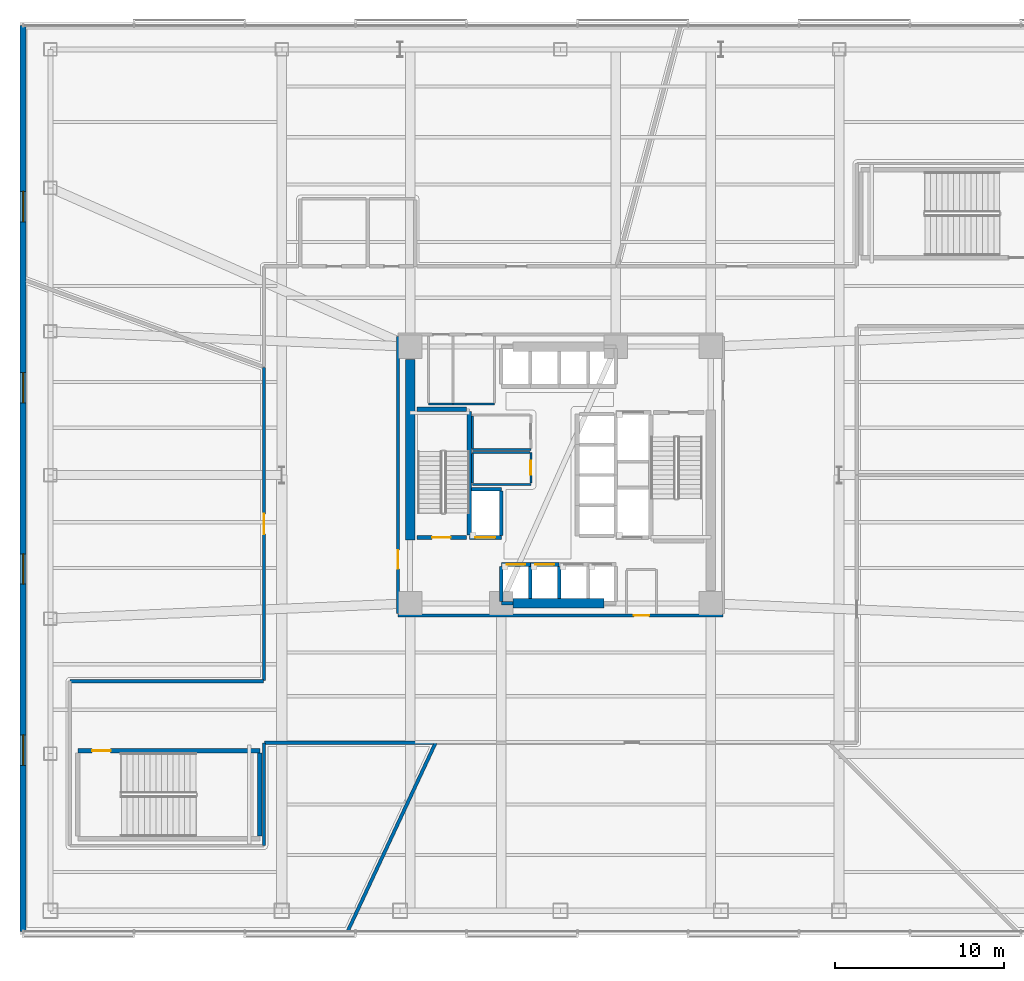
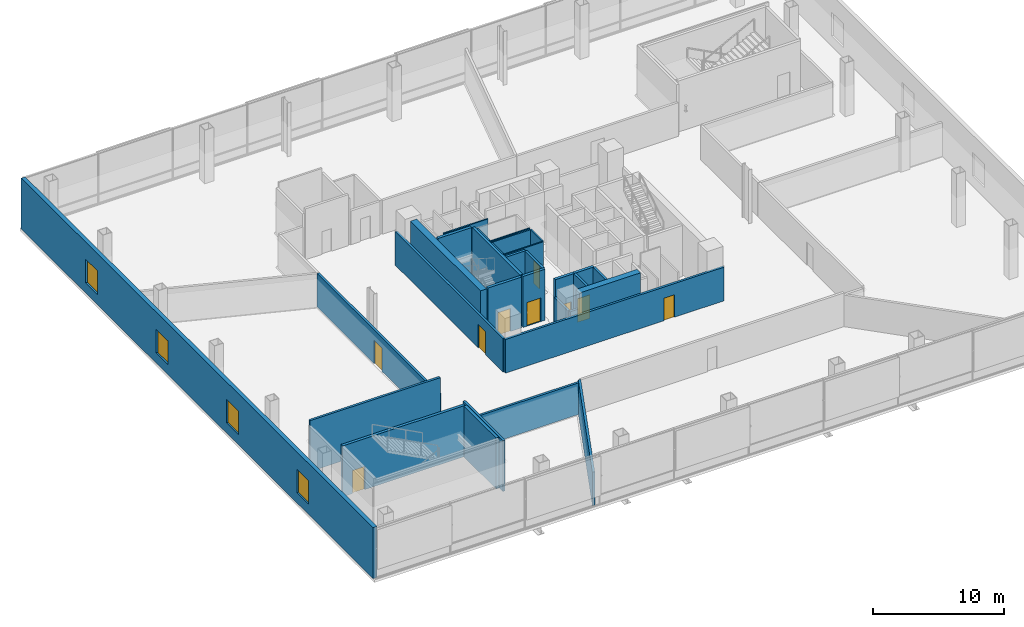
# One storey, part 11 of 24: 32 walls, 9 doors, 4 windows, 13 openings.
"""IFC4 building model written with IfcOpenShell, lengths in metres."""

from ifc_helpers import new_model, si_unit, direction, frame, frame_2d, origin, place, context, subcontext, project, spatial, rectangle, extrude, material, layer, layer_set, type_object, element, fill, save


model = new_model("IFC4")

# Units and contexts
model_context = context("Model", 3, precision=1e-05, world=origin(), true_north=direction((0.0, 1.0)))
body_context = subcontext(model_context, "Body", "Model", "MODEL_VIEW")
ifc_project = project(units=[si_unit("LENGTHUNIT", "METRE"), si_unit("AREAUNIT", "SQUARE_METRE"), si_unit("VOLUMEUNIT", "CUBIC_METRE"), si_unit("PLANEANGLEUNIT", "RADIAN"), si_unit("MASSUNIT", "GRAM", prefix="KILO")], contexts=[model_context])

# Site, building, storey
site_placement = place(None, origin())
site = spatial("IfcSite", under=ifc_project, at=site_placement, CompositionType="ELEMENT")
building_placement = place(site_placement, origin())
building = spatial("IfcBuilding", under=site, at=building_placement, Name="Tharavind Bronze Gate", CompositionType="ELEMENT")
storey_placement = place(building_placement, frame((0.0, 0.0, 21.5)))
storey = spatial("IfcBuildingStorey", under=building, at=storey_placement, Name="L04", CompositionType="ELEMENT", Elevation=21.5)

# Wall, openings, windows
ifc_material_1 = material(Name="Concrete C40/50", Category="concrete")
ifc_layer_1 = layer(ifc_material_1, 0.35009765625)
ifc_layer_set_1 = layer_set([ifc_layer_1], Name="Concrete C40/50")
wall_type_1 = type_object("IfcWallType", Name="EXTERIOR SPANDREL WALL 350", PredefinedType="STANDARD", material=ifc_layer_set_1)
wall_1_placement = place(storey_placement, frame((-31.820068359375, 26.6201171875, 0.0), z_axis=(0.0, 0.0, 1.0), x_axis=(0.0, -1.0, 0.0)))
wall_1 = element("IfcWall", 1, at=wall_1_placement, inside=storey, type_object=wall_type_1, Name="L04 upper podium west wall", PredefinedType="STANDARD", context=body_context, shape_type="SweptSolid", body=[
    extrude(rectangle(XDim=53.64013671875, YDim=0.35009765625, at=frame_2d((26.820068359375, 0.0))), origin(), (0.0, 0.0, 1.0), 4.739990234375),
])
opening_1_placement = place(wall_1_placement, frame((9.827880859375, 0.0, 0.949951171875)))
opening_1 = element("IfcOpeningElement", 2, at=opening_1_placement, cuts=wall_1, Name="Opening W02", PredefinedType="OPENING", context=body_context, shape_type="SweptSolid", body=[
    extrude(rectangle(XDim=1.800048828125, YDim=2.199951171875, at=frame_2d((0.89990234375, 1.10009765625))), frame((0.0, 0.185048828125, 0.0), z_axis=(0.0, -1.0, 0.0), x_axis=(1.0, 0.0, 0.0)), (0.0, 0.0, 1.0), 0.37009765625),
])
opening_2_placement = place(wall_1_placement, frame((20.555908203125, 0.0, 0.949951171875)))
opening_2 = element("IfcOpeningElement", 3, at=opening_2_placement, cuts=wall_1, Name="Opening W02", PredefinedType="OPENING", context=body_context, shape_type="SweptSolid", body=[
    extrude(rectangle(XDim=1.800048828125, YDim=2.199951171875, at=frame_2d((0.89990234375, 1.10009765625))), frame((0.0, 0.185048828125, 0.0), z_axis=(0.0, -1.0, 0.0), x_axis=(1.0, 0.0, 0.0)), (0.0, 0.0, 1.0), 0.37009765625),
])
opening_3_placement = place(wall_1_placement, frame((31.283935546875, 0.0, 0.949951171875)))
opening_3 = element("IfcOpeningElement", 4, at=opening_3_placement, cuts=wall_1, Name="Opening W02", PredefinedType="OPENING", context=body_context, shape_type="SweptSolid", body=[
    extrude(rectangle(XDim=1.800048828125, YDim=2.199951171875, at=frame_2d((0.89990234375, 1.10009765625))), frame((0.0, 0.185048828125, 0.0), z_axis=(0.0, -1.0, 0.0), x_axis=(1.0, 0.0, 0.0)), (0.0, 0.0, 1.0), 0.37009765625),
])
opening_4_placement = place(wall_1_placement, frame((42.011962890625, 0.0, 0.949951171875)))
opening_4 = element("IfcOpeningElement", 5, at=opening_4_placement, cuts=wall_1, Name="Opening W02", PredefinedType="OPENING", context=body_context, shape_type="SweptSolid", body=[
    extrude(rectangle(XDim=1.800048828125, YDim=2.199951171875, at=frame_2d((0.89990234375, 1.10009765625))), frame((0.0, 0.185048828125, 0.0), z_axis=(0.0, -1.0, 0.0), x_axis=(1.0, 0.0, 0.0)), (0.0, 0.0, 1.0), 0.37009765625),
])
ifc_material_2 = material(Name="Bronze Aluminium & Low-E Glass", Category="aluminium")
window_type = type_object("IfcWindowType", Name="DOUBLE PANEL BRONZE WINDOW 1800X2200", PartitioningType="DOUBLE_PANEL_VERTICAL", PredefinedType="WINDOW", material=ifc_material_2)
window_1_placement = place(opening_1_placement, origin())
window_1 = element("IfcWindow", 6, at=window_1_placement, inside=storey, type_object=window_type, Name="L04 exterior window WL-L04-WE-01", OverallHeight=2.199951171875, OverallWidth=1.800048828125, PartitioningType="SINGLE_PANEL", PredefinedType="WINDOW", context=body_context, shape_type="SweptSolid", body=[
    extrude(rectangle(XDim=1.800048828125, YDim=2.199951171875, at=frame_2d((0.89990234375, 1.10009765625))), frame((0.0, 0.030029296875, 0.0), z_axis=(0.0, -1.0, 0.0), x_axis=(1.0, 0.0, 0.0)), (0.0, 0.0, 1.0), 0.06005859375),
])
fill(opening_1, window_1)
window_2_placement = place(opening_2_placement, origin())
window_2 = element("IfcWindow", 7, at=window_2_placement, inside=storey, type_object=window_type, Name="L04 exterior window WL-L04-WE-02", OverallHeight=2.199951171875, OverallWidth=1.800048828125, PartitioningType="SINGLE_PANEL", PredefinedType="WINDOW", context=body_context, shape_type="SweptSolid", body=[
    extrude(rectangle(XDim=1.800048828125, YDim=2.199951171875, at=frame_2d((0.89990234375, 1.10009765625))), frame((0.0, 0.030029296875, 0.0), z_axis=(0.0, -1.0, 0.0), x_axis=(1.0, 0.0, 0.0)), (0.0, 0.0, 1.0), 0.06005859375),
])
fill(opening_2, window_2)
window_3_placement = place(opening_3_placement, origin())
window_3 = element("IfcWindow", 8, at=window_3_placement, inside=storey, type_object=window_type, Name="L04 exterior window WL-L04-WE-03", OverallHeight=2.199951171875, OverallWidth=1.800048828125, PartitioningType="SINGLE_PANEL", PredefinedType="WINDOW", context=body_context, shape_type="SweptSolid", body=[
    extrude(rectangle(XDim=1.800048828125, YDim=2.199951171875, at=frame_2d((0.89990234375, 1.10009765625))), frame((0.0, 0.030029296875, 0.0), z_axis=(0.0, -1.0, 0.0), x_axis=(1.0, 0.0, 0.0)), (0.0, 0.0, 1.0), 0.06005859375),
])
fill(opening_3, window_3)
window_4_placement = place(opening_4_placement, origin())
window_4 = element("IfcWindow", 9, at=window_4_placement, inside=storey, type_object=window_type, Name="L04 exterior window WL-L04-WE-04", OverallHeight=2.199951171875, OverallWidth=1.800048828125, PartitioningType="SINGLE_PANEL", PredefinedType="WINDOW", context=body_context, shape_type="SweptSolid", body=[
    extrude(rectangle(XDim=1.800048828125, YDim=2.199951171875, at=frame_2d((0.89990234375, 1.10009765625))), frame((0.0, 0.030029296875, 0.0), z_axis=(0.0, -1.0, 0.0), x_axis=(1.0, 0.0, 0.0)), (0.0, 0.0, 1.0), 0.06005859375),
])
fill(opening_4, window_4)

# Wall, opening, door
ifc_material_3 = material(Name="Aerated Concrete Block", Category="concrete")
ifc_layer_2 = layer(ifc_material_3, 0.199951171875)
ifc_layer_set_2 = layer_set([ifc_layer_2], Name="Aerated Concrete Block")
wall_type_2 = type_object("IfcWallType", Name="FIRE RATED PARTITION 200", PredefinedType="PARTITIONING", material=ifc_layer_set_2)
wall_2_placement = place(storey_placement, frame((-9.6201171875, -8.320068359375, 0.0), z_axis=(0.0, 0.0, 1.0), x_axis=(1.0, 0.0, 0.0)))
wall_2 = element("IfcWall", 10, at=wall_2_placement, inside=storey, type_object=wall_type_2, Name="L04 south core corridor wall", PredefinedType="PARTITIONING", context=body_context, shape_type="SweptSolid", body=[
    extrude(rectangle(XDim=19.240234375, YDim=0.199951171875, at=frame_2d((9.6201171875, 0.0))), origin(), (0.0, 0.0, 1.0), 3.135009765625),
])
opening_5_placement = place(wall_2_placement, frame((13.969970703125, 0.0, 0.0)))
opening_5 = element("IfcOpeningElement", 11, at=opening_5_placement, cuts=wall_2, Name="Opening ID07", PredefinedType="OPENING", context=body_context, shape_type="SweptSolid", body=[
    extrude(rectangle(XDim=0.89990234375, YDim=2.10009765625, at=frame_2d((0.449951171875, 1.050048828125))), frame((0.0, 0.11009765625, 0.0), z_axis=(0.0, -1.0, 0.0), x_axis=(1.0, 0.0, 0.0)), (0.0, 0.0, 1.0), 0.219951171875),
])
ifc_material_4 = material(Name="Galvanised Fire Steel", Category="steel")
door_type_1 = type_object("IfcDoorType", Name="PLANT AND RISER FIRE DOOR 900X2100", OperationType="SINGLE_SWING_LEFT", PredefinedType="DOOR", material=ifc_material_4)
door_1_placement = place(opening_5_placement, frame((0.89990234375, 0.0, 0.0), z_axis=(0.0, 0.0, 1.0), x_axis=(-1.0, 0.0, 0.0)))
door_1 = element("IfcDoor", 12, at=door_1_placement, inside=storey, type_object=door_type_1, Name="L04 Janitor Store Cupboard fire door", OperationType="SINGLE_SWING_LEFT", OverallHeight=2.10009765625, OverallWidth=0.89990234375, PredefinedType="DOOR", context=body_context, shape_type="SweptSolid", body=[
    extrude(rectangle(XDim=0.89990234375, YDim=2.10009765625, at=frame_2d((0.449951171875, 1.050048828125))), frame((0.0, 0.02490234375, 0.0), z_axis=(0.0, -1.0, 0.0), x_axis=(1.0, 0.0, 0.0)), (0.0, 0.0, 1.0), 0.050048828125),
])
fill(opening_5, door_1)

wall_3_placement = place(storey_placement, frame((-9.6201171875, 8.199951171875, 0.0), z_axis=(0.0, 0.0, 1.0), x_axis=(0.0, -1.0, 0.0)))
wall_3 = element("IfcWall", 13, at=wall_3_placement, inside=storey, type_object=wall_type_2, Name="L04 west core corridor wall", PredefinedType="PARTITIONING", context=body_context, shape_type="SweptSolid", body=[
    extrude(rectangle(XDim=16.39990234375, YDim=0.199951171875, at=frame_2d((8.199951171875, 0.0))), origin(), (0.0, 0.0, 1.0), 3.135009765625),
])
opening_6_placement = place(wall_3_placement, frame((12.64990234375, 0.0, 0.0)))
opening_6 = element("IfcOpeningElement", 14, at=opening_6_placement, cuts=wall_3, Name="Opening ID01", PredefinedType="OPENING", context=body_context, shape_type="SweptSolid", body=[
    extrude(rectangle(XDim=1.10009765625, YDim=2.14990234375, at=frame_2d((0.550048828125, 1.074951171875))), frame((0.0, 0.11009765625, 0.0), z_axis=(0.0, -1.0, 0.0), x_axis=(1.0, 0.0, 0.0)), (0.0, 0.0, 1.0), 0.219951171875),
])
ifc_material_5 = material(Name="Fire-Rated Steel", Category="steel")
door_type_2 = type_object("IfcDoorType", Name="STAIR CORE FIRE DOOR 1100X2150", OperationType="SINGLE_SWING_LEFT", PredefinedType="DOOR", material=ifc_material_5)
door_2_placement = place(opening_6_placement, frame((1.10009765625, 0.0, 0.0), z_axis=(0.0, 0.0, 1.0), x_axis=(-1.0, 0.0, 0.0)))
door_2 = element("IfcDoor", 15, at=door_2_placement, inside=storey, type_object=door_type_2, Name="L04 south west stair lobby fire door", OperationType="SINGLE_SWING_LEFT", OverallHeight=2.14990234375, OverallWidth=1.10009765625, PredefinedType="DOOR", context=body_context, shape_type="SweptSolid", body=[
    extrude(rectangle(XDim=1.10009765625, YDim=2.14990234375, at=frame_2d((0.550048828125, 1.074951171875))), frame((0.0, 0.02490234375, 0.0), z_axis=(0.0, -1.0, 0.0), x_axis=(1.0, 0.0, 0.0)), (0.0, 0.0, 1.0), 0.050048828125),
])
fill(opening_6, door_2)

# Wall
wall_4_placement = place(storey_placement, frame((-12.599609375, -27.02001953125, 0.0), z_axis=(0.0, 0.0, 1.0), x_axis=(0.422618329775, 0.906307755312, 0.0)))
element("IfcWall", 16, at=wall_4_placement, inside=storey, type_object=wall_type_2, Name="L04 Public Restrooms & Locker Block partition", PredefinedType="PARTITIONING", context=body_context, shape_type="SweptSolid", body=[
    extrude(rectangle(XDim=12.308837890625, YDim=0.199951171875, at=frame_2d((6.154296875, 0.0))), origin(), (0.0, 0.0, 1.0), 3.135009765625),
])

# Wall, opening, door
wall_5_placement = place(storey_placement, frame((-17.550048828125, 6.3701171875, 0.0), z_axis=(0.0, 0.0, 1.0), x_axis=(0.0, -1.0, 0.0)))
wall_5 = element("IfcWall", 17, at=wall_5_placement, inside=storey, type_object=wall_type_2, Name="L04 Fitness & Movement Gymnasium partition", PredefinedType="PARTITIONING", context=body_context, shape_type="SweptSolid", body=[
    extrude(rectangle(XDim=18.545166015625, YDim=0.199951171875, at=frame_2d((9.2724609375, 0.0))), origin(), (0.0, 0.0, 1.0), 3.135009765625),
])
opening_7_placement = place(wall_5_placement, frame((8.673095703125, 0.0, 0.0)))
opening_7 = element("IfcOpeningElement", 18, at=opening_7_placement, cuts=wall_5, Name="Opening ID05", PredefinedType="OPENING", context=body_context, shape_type="SweptSolid", body=[
    extrude(rectangle(XDim=1.199951171875, YDim=2.14990234375, at=frame_2d((0.60009765625, 1.074951171875))), frame((0.0, 0.11009765625, 0.0), z_axis=(0.0, -1.0, 0.0), x_axis=(1.0, 0.0, 0.0)), (0.0, 0.0, 1.0), 0.219951171875),
])
ifc_material_6 = material(Name="Acoustic Laminated Glass", Category="glass")
door_type_3 = type_object("IfcDoorType", Name="MEETING ROOM GLAZED DOOR 1200X2150", OperationType="SINGLE_SWING_LEFT", PredefinedType="DOOR", material=ifc_material_6)
door_3_placement = place(opening_7_placement, origin())
door_3 = element("IfcDoor", 19, at=door_3_placement, inside=storey, type_object=door_type_3, Name="L04 Fitness & Movement Gymnasium door", OperationType="SINGLE_SWING_LEFT", OverallHeight=2.14990234375, OverallWidth=1.199951171875, PredefinedType="DOOR", context=body_context, shape_type="SweptSolid", body=[
    extrude(rectangle(XDim=1.199951171875, YDim=2.14990234375, at=frame_2d((0.60009765625, 1.074951171875))), frame((0.0, 0.02490234375, 0.0), z_axis=(0.0, -1.0, 0.0), x_axis=(1.0, 0.0, 0.0)), (0.0, 0.0, 1.0), 0.050048828125),
])
fill(opening_7, door_3)

# Walls
wall_6_placement = place(storey_placement, frame((-17.574951171875, -12.199951171875, 0.0), z_axis=(0.0, 0.0, 1.0), x_axis=(-1.0, 0.0, 0.0)))
element("IfcWall", 20, at=wall_6_placement, inside=storey, type_object=wall_type_2, Name="L04 Fitness & Movement Gymnasium partition", PredefinedType="PARTITIONING", context=body_context, shape_type="SweptSolid", body=[
    extrude(rectangle(XDim=11.474365234375, YDim=0.199951171875, at=frame_2d((5.7373046875, 0.0))), origin(), (0.0, 0.0, 1.0), 4.739990234375),
])
wall_7_placement = place(storey_placement, frame((-17.550048828125, -21.949462890625, 0.0), z_axis=(0.0, 0.0, 1.0), x_axis=(0.0, 1.0, 0.0)))
element("IfcWall", 21, at=wall_7_placement, inside=storey, type_object=wall_type_2, Name="L04 Fitness & Movement Gymnasium partition", PredefinedType="PARTITIONING", context=body_context, shape_type="SweptSolid", body=[
    extrude(rectangle(XDim=6.074462890625, YDim=0.199951171875, at=frame_2d((3.037109375, 0.0))), origin(), (0.0, 0.0, 1.0), 4.739990234375),
])
wall_8_placement = place(storey_placement, frame((-17.52490234375, -15.85009765625, 0.0), z_axis=(0.0, 0.0, 1.0), x_axis=(1.0, 0.0, 0.0)))
element("IfcWall", 22, at=wall_8_placement, inside=storey, type_object=wall_type_2, Name="L04 Fitness & Movement Gymnasium partition", PredefinedType="PARTITIONING", context=body_context, shape_type="SweptSolid", body=[
    extrude(rectangle(XDim=10.01806640625, YDim=0.199951171875, at=frame_2d((5.009033203125, 0.0))), origin(), (0.0, 0.0, 1.0), 2.93505859375),
])
ifc_material_7 = material(Name="Metal Stud Gypsum Partition", Category="gypsum")
ifc_layer_3 = layer(ifc_material_7, 0.1201171875)
ifc_layer_set_3 = layer_set([ifc_layer_3], Name="Metal Stud Gypsum Partition")
wall_type_3 = type_object("IfcWallType", Name="INTERIOR PARTITION WALL 120", PredefinedType="PARTITIONING", material=ifc_layer_set_3)
wall_9_placement = place(storey_placement, frame((-5.219970703125, 1.52001953125, 0.0), z_axis=(0.0, 0.0, 1.0), x_axis=(1.0, 0.0, 0.0)))
element("IfcWall", 23, at=wall_9_placement, inside=storey, type_object=wall_type_3, Name="L04 Cleaner Store Room partition 1", PredefinedType="PARTITIONING", context=body_context, shape_type="SweptSolid", body=[
    extrude(rectangle(XDim=3.469970703125, YDim=0.1201171875, at=frame_2d((1.73486328125, 0.0))), origin(), (0.0, 0.0, 1.0), 4.739990234375),
])
wall_10_placement = place(storey_placement, frame((-5.219970703125, 3.485107421875, 0.0), z_axis=(0.0, 0.0, 1.0), x_axis=(0.0, -1.0, 0.0)))
element("IfcWall", 24, at=wall_10_placement, inside=storey, type_object=wall_type_3, Name="L04 Cleaner Store Room partition 4", PredefinedType="PARTITIONING", context=body_context, shape_type="SweptSolid", body=[
    extrude(rectangle(XDim=1.900146484375, YDim=0.1201171875, at=frame_2d((0.9501953125, 0.0))), origin(), (0.0, 0.0, 1.0), 4.739990234375),
])
wall_11_placement = place(storey_placement, frame((-5.219970703125, -0.550048828125, 0.0), z_axis=(0.0, 0.0, 1.0), x_axis=(1.0, 0.0, 0.0)))
element("IfcWall", 25, at=wall_11_placement, inside=storey, type_object=wall_type_3, Name="L04 Electrical Switch Room partition 1", PredefinedType="PARTITIONING", context=body_context, shape_type="SweptSolid", body=[
    extrude(rectangle(XDim=3.469970703125, YDim=0.1201171875, at=frame_2d((1.73486328125, 0.0))), origin(), (0.0, 0.0, 1.0), 4.739990234375),
])

# Wall, opening, door
wall_12_placement = place(storey_placement, frame((-1.75, -0.485107421875, 0.0), z_axis=(0.0, 0.0, 1.0), x_axis=(0.0, 1.0, 0.0)))
wall_12 = element("IfcWall", 26, at=wall_12_placement, inside=storey, type_object=wall_type_3, Name="L04 Electrical Switch Room partition 2", PredefinedType="PARTITIONING", context=body_context, shape_type="SweptSolid", body=[
    extrude(rectangle(XDim=1.8251953125, YDim=0.1201171875, at=frame_2d((0.91259765625, 0.0))), origin(), (0.0, 0.0, 1.0), 4.739990234375),
])
opening_8_placement = place(wall_12_placement, frame((0.488037109375, 0.0, 0.0)))
opening_8 = element("IfcOpeningElement", 27, at=opening_8_placement, cuts=wall_12, Name="Opening ID06", PredefinedType="OPENING", context=body_context, shape_type="SweptSolid", body=[
    extrude(rectangle(XDim=0.85009765625, YDim=2.10009765625, at=frame_2d((0.425048828125, 1.050048828125))), frame((0.0, 0.07005859375, 0.0), z_axis=(0.0, -1.0, 0.0), x_axis=(1.0, 0.0, 0.0)), (0.0, 0.0, 1.0), 0.1401171875),
])
ifc_material_8 = material(Name="Moisture-Resistant Timber", Category="wood")
door_type_4 = type_object("IfcDoorType", Name="BATHROOM PRIVACY DOOR 850X2100", OperationType="SINGLE_SWING_RIGHT", PredefinedType="DOOR", material=ifc_material_8)
door_4_placement = place(opening_8_placement, frame((0.85009765625, 0.0, 0.0), z_axis=(0.0, 0.0, 1.0), x_axis=(-1.0, 0.0, 0.0)))
door_4 = element("IfcDoor", 28, at=door_4_placement, inside=storey, type_object=door_type_4, Name="L04 Electrical Switch Room door", OperationType="SINGLE_SWING_RIGHT", OverallHeight=2.10009765625, OverallWidth=0.85009765625, PredefinedType="DOOR", context=body_context, shape_type="SweptSolid", body=[
    extrude(rectangle(XDim=0.85009765625, YDim=2.10009765625, at=frame_2d((0.425048828125, 1.050048828125))), frame((0.0, 0.02490234375, 0.0), z_axis=(0.0, -1.0, 0.0), x_axis=(1.0, 0.0, 0.0)), (0.0, 0.0, 1.0), 0.050048828125),
])
fill(opening_8, door_4)

# Walls
wall_13_placement = place(storey_placement, frame((-1.81494140625, 1.340087890625, 0.0), z_axis=(0.0, 0.0, 1.0), x_axis=(-1.0, 0.0, 0.0)))
element("IfcWall", 29, at=wall_13_placement, inside=storey, type_object=wall_type_3, Name="L04 Electrical Switch Room partition 3", PredefinedType="PARTITIONING", context=body_context, shape_type="SweptSolid", body=[
    extrude(rectangle(XDim=3.405029296875, YDim=0.1201171875, at=frame_2d((1.70263671875, 0.0))), origin(), (0.0, 0.0, 1.0), 4.739990234375),
])
wall_14_placement = place(storey_placement, frame((-5.219970703125, 1.27490234375, 0.0), z_axis=(0.0, 0.0, 1.0), x_axis=(0.0, -1.0, 0.0)))
element("IfcWall", 30, at=wall_14_placement, inside=storey, type_object=wall_type_3, Name="L04 Electrical Switch Room partition 4", PredefinedType="PARTITIONING", context=body_context, shape_type="SweptSolid", body=[
    extrude(rectangle(XDim=1.760009765625, YDim=0.1201171875, at=frame_2d((0.8798828125, 0.0))), origin(), (0.0, 0.0, 1.0), 4.739990234375),
])
wall_15_placement = place(storey_placement, frame((-7.800048828125, 4.199951171875, 0.0), z_axis=(0.0, 0.0, 1.0), x_axis=(1.0, 0.0, 0.0)))
element("IfcWall", 31, at=wall_15_placement, inside=storey, type_object=wall_type_3, Name="L04 Battery Backup Cupboard partition 1", PredefinedType="PARTITIONING", context=body_context, shape_type="SweptSolid", body=[
    extrude(rectangle(XDim=1.449951171875, YDim=0.1201171875, at=frame_2d((0.72509765625, 0.0))), origin(), (0.0, 0.0, 1.0), 4.739990234375),
])
wall_16_placement = place(storey_placement, frame((-6.35009765625, 4.199951171875, 0.0), z_axis=(0.0, 0.0, 1.0), x_axis=(1.0, 0.0, 0.0)))
element("IfcWall", 32, at=wall_16_placement, inside=storey, type_object=wall_type_3, Name="L04 Cleaner Store Room partition 1", PredefinedType="PARTITIONING", context=body_context, shape_type="SweptSolid", body=[
    extrude(rectangle(XDim=2.4501953125, YDim=0.1201171875, at=frame_2d((1.22509765625, 0.0))), origin(), (0.0, 0.0, 1.0), 4.739990234375),
])
ifc_material_9 = material(Name="Concrete C50/60", Category="concrete")
ifc_layer_4 = layer(ifc_material_9, 0.25)
ifc_layer_set_4 = layer_set([ifc_layer_4], Name="Concrete C50/60")
wall_type_4 = type_object("IfcWallType", Name="RC CORE SHEAR WALL 250", PredefinedType="SHEAR", material=ifc_layer_set_4)
wall_17_placement = place(storey_placement, frame((-5.39990234375, -3.550048828125, 0.0), z_axis=(0.0, 0.0, 1.0), x_axis=(0.0, 1.0, 0.0)))
element("IfcWall", 33, at=wall_17_placement, inside=storey, type_object=wall_type_4, Name="L04 ST1 shaft east wall", PredefinedType="SHEAR", context=body_context, shape_type="SweptSolid", body=[
    extrude(rectangle(XDim=7.300048828125, YDim=0.25, at=frame_2d((3.64990234375, 0.0))), origin(), (0.0, 0.0, 1.0), 4.739990234375),
])

# Wall, opening, door
wall_18_placement = place(storey_placement, frame((-8.5, -3.699951171875, 0.0), z_axis=(0.0, 0.0, 1.0), x_axis=(1.0, 0.0, 0.0)))
wall_18 = element("IfcWall", 34, at=wall_18_placement, inside=storey, type_object=wall_type_4, Name="L04 ST1 shaft south wall", PredefinedType="SHEAR", context=body_context, shape_type="SweptSolid", body=[
    extrude(rectangle(XDim=2.949951171875, YDim=0.25, at=frame_2d((1.47509765625, 0.0))), origin(), (0.0, 0.0, 1.0), 4.739990234375),
])
opening_9_placement = place(wall_18_placement, frame((0.89990234375, 0.0, 0.0)))
opening_9 = element("IfcOpeningElement", 35, at=opening_9_placement, cuts=wall_18, Name="Opening ID01", PredefinedType="OPENING", context=body_context, shape_type="SweptSolid", body=[
    extrude(rectangle(XDim=1.10009765625, YDim=2.14990234375, at=frame_2d((0.550048828125, 1.074951171875))), frame((0.0, 0.135, 0.0), z_axis=(0.0, -1.0, 0.0), x_axis=(1.0, 0.0, 0.0)), (0.0, 0.0, 1.0), 0.27),
])
door_5_placement = place(opening_9_placement, origin())
door_5 = element("IfcDoor", 36, at=door_5_placement, inside=storey, type_object=door_type_2, Name="L04 exit stair ST1 fire door", OperationType="SINGLE_SWING_LEFT", OverallHeight=2.14990234375, OverallWidth=1.10009765625, PredefinedType="DOOR", context=body_context, shape_type="SweptSolid", body=[
    extrude(rectangle(XDim=1.10009765625, YDim=2.14990234375, at=frame_2d((0.550048828125, 1.074951171875))), frame((0.0, 0.02490234375, 0.0), z_axis=(0.0, -1.0, 0.0), x_axis=(1.0, 0.0, 0.0)), (0.0, 0.0, 1.0), 0.050048828125),
])
fill(opening_9, door_5)

# Wall
wall_19_placement = place(storey_placement, frame((-8.5, 3.89990234375, 0.0), z_axis=(0.0, 0.0, 1.0), x_axis=(1.0, 0.0, 0.0)))
element("IfcWall", 37, at=wall_19_placement, inside=storey, type_object=wall_type_4, Name="L04 ST1 shaft north wall", PredefinedType="SHEAR", context=body_context, shape_type="SweptSolid", body=[
    extrude(rectangle(XDim=2.949951171875, YDim=0.25, at=frame_2d((1.47509765625, 0.0))), origin(), (0.0, 0.0, 1.0), 4.739990234375),
])

# Wall, opening, door
wall_20_placement = place(storey_placement, frame((-28.580078125, -16.320068359375, 0.0), z_axis=(0.0, 0.0, 1.0), x_axis=(1.0, 0.0, 0.0)))
wall_20 = element("IfcWall", 38, at=wall_20_placement, inside=storey, type_object=wall_type_4, Name="L04 ST3 north wall", PredefinedType="SHEAR", context=body_context, shape_type="SweptSolid", body=[
    extrude(rectangle(XDim=10.780029296875, YDim=0.25, at=frame_2d((5.39013671875, 0.0))), origin(), (0.0, 0.0, 1.0), 4.739990234375),
])
opening_10_placement = place(wall_20_placement, frame((0.85009765625, 0.0, 0.0)))
opening_10 = element("IfcOpeningElement", 39, at=opening_10_placement, cuts=wall_20, Name="Opening ID01", PredefinedType="OPENING", context=body_context, shape_type="SweptSolid", body=[
    extrude(rectangle(XDim=1.10009765625, YDim=2.14990234375, at=frame_2d((0.550048828125, 1.074951171875))), frame((0.0, 0.135, 0.0), z_axis=(0.0, -1.0, 0.0), x_axis=(1.0, 0.0, 0.0)), (0.0, 0.0, 1.0), 0.27),
])
door_6_placement = place(opening_10_placement, frame((1.10009765625, 0.0, 0.0), z_axis=(0.0, 0.0, 1.0), x_axis=(-1.0, 0.0, 0.0)))
door_6 = element("IfcDoor", 40, at=door_6_placement, inside=storey, type_object=door_type_2, Name="L04 podium stair ST3 fire door", OperationType="SINGLE_SWING_LEFT", OverallHeight=2.14990234375, OverallWidth=1.10009765625, PredefinedType="DOOR", context=body_context, shape_type="SweptSolid", body=[
    extrude(rectangle(XDim=1.10009765625, YDim=2.14990234375, at=frame_2d((0.550048828125, 1.074951171875))), frame((0.0, 0.02490234375, 0.0), z_axis=(0.0, -1.0, 0.0), x_axis=(1.0, 0.0, 0.0)), (0.0, 0.0, 1.0), 0.050048828125),
])
fill(opening_10, door_6)

# Wall
wall_21_placement = place(storey_placement, frame((-17.800048828125, -21.3798828125, 0.0), z_axis=(0.0, 0.0, 1.0), x_axis=(0.0, 1.0, 0.0)))
element("IfcWall", 41, at=wall_21_placement, inside=storey, type_object=wall_type_4, Name="L04 ST3 east wall", PredefinedType="SHEAR", context=body_context, shape_type="SweptSolid", body=[
    extrude(rectangle(XDim=4.909912109375, YDim=0.25, at=frame_2d((2.455078125, 0.0))), origin(), (0.0, 0.0, 1.0), 4.739990234375),
])

# Wall, opening, door
wall_22_placement = place(storey_placement, frame((-3.5, -5.300048828125, 0.0), z_axis=(0.0, 0.0, 1.0), x_axis=(1.0, 0.0, 0.0)))
wall_22 = element("IfcWall", 42, at=wall_22_placement, inside=storey, type_object=wall_type_4, Name="L04 lift PL1 shaft front wall", PredefinedType="SHEAR", context=body_context, shape_type="SweptSolid", body=[
    extrude(rectangle(XDim=1.71240234375, YDim=0.25, at=frame_2d((0.856201171875, 0.0))), origin(), (0.0, 0.0, 1.0), 4.739990234375),
])
opening_11_placement = place(wall_22_placement, frame((0.305908203125, 0.0, 0.0)))
opening_11 = element("IfcOpeningElement", 43, at=opening_11_placement, cuts=wall_22, Name="Opening LD01", PredefinedType="OPENING", context=body_context, shape_type="SweptSolid", body=[
    extrude(rectangle(XDim=1.10009765625, YDim=2.199951171875, at=frame_2d((0.550048828125, 1.10009765625))), frame((0.0, 0.135, 0.0), z_axis=(0.0, -1.0, 0.0), x_axis=(1.0, 0.0, 0.0)), (0.0, 0.0, 1.0), 0.27),
])
ifc_material_10 = material(Name="Brushed Bronze Stainless Steel", Category="steel")
door_type_5 = type_object("IfcDoorType", Name="LIFT LANDING SLIDING DOOR 1100X2200", OperationType="SLIDING_TO_LEFT", PredefinedType="DOOR", material=ifc_material_10)
door_7_placement = place(opening_11_placement, origin())
door_7 = element("IfcDoor", 44, at=door_7_placement, inside=storey, type_object=door_type_5, Name="L04 lift PL1 sliding landing door", OperationType="SLIDING_TO_LEFT", OverallHeight=2.199951171875, OverallWidth=1.10009765625, PredefinedType="DOOR", context=body_context, shape_type="SweptSolid", body=[
    extrude(rectangle(XDim=1.10009765625, YDim=2.199951171875, at=frame_2d((0.550048828125, 1.10009765625))), frame((0.0, 0.02490234375, 0.0), z_axis=(0.0, -1.0, 0.0), x_axis=(1.0, 0.0, 0.0)), (0.0, 0.0, 1.0), 0.050048828125),
])
fill(opening_11, door_7)

wall_23_placement = place(storey_placement, frame((-1.78759765625, -5.300048828125, 0.0), z_axis=(0.0, 0.0, 1.0), x_axis=(1.0, 0.0, 0.0)))
wall_23 = element("IfcWall", 45, at=wall_23_placement, inside=storey, type_object=wall_type_4, Name="L04 lift PL2 shaft front wall", PredefinedType="SHEAR", context=body_context, shape_type="SweptSolid", body=[
    extrude(rectangle(XDim=1.712646484375, YDim=0.25, at=frame_2d((0.8564453125, 0.0))), origin(), (0.0, 0.0, 1.0), 4.739990234375),
])
opening_12_placement = place(wall_23_placement, frame((0.305908203125, 0.0, 0.0)))
opening_12 = element("IfcOpeningElement", 46, at=opening_12_placement, cuts=wall_23, Name="Opening LD01", PredefinedType="OPENING", context=body_context, shape_type="SweptSolid", body=[
    extrude(rectangle(XDim=1.10009765625, YDim=2.199951171875, at=frame_2d((0.550048828125, 1.10009765625))), frame((0.0, 0.135, 0.0), z_axis=(0.0, -1.0, 0.0), x_axis=(1.0, 0.0, 0.0)), (0.0, 0.0, 1.0), 0.27),
])
door_8_placement = place(opening_12_placement, origin())
door_8 = element("IfcDoor", 47, at=door_8_placement, inside=storey, type_object=door_type_5, Name="L04 lift PL2 sliding landing door", OperationType="SLIDING_TO_LEFT", OverallHeight=2.199951171875, OverallWidth=1.10009765625, PredefinedType="DOOR", context=body_context, shape_type="SweptSolid", body=[
    extrude(rectangle(XDim=1.10009765625, YDim=2.199951171875, at=frame_2d((0.550048828125, 1.10009765625))), frame((0.0, 0.02490234375, 0.0), z_axis=(0.0, -1.0, 0.0), x_axis=(1.0, 0.0, 0.0)), (0.0, 0.0, 1.0), 0.050048828125),
])
fill(opening_12, door_8)

wall_24_placement = place(storey_placement, frame((-5.39990234375, -3.699951171875, 0.0), z_axis=(0.0, 0.0, 1.0), x_axis=(1.0, 0.0, 0.0)))
wall_24 = element("IfcWall", 48, at=wall_24_placement, inside=storey, type_object=wall_type_4, Name="L04 lift FFL1 shaft front wall", PredefinedType="SHEAR", context=body_context, shape_type="SweptSolid", body=[
    extrude(rectangle(XDim=1.89990234375, YDim=0.25, at=frame_2d((0.949951171875, 0.0))), origin(), (0.0, 0.0, 1.0), 4.739990234375),
])
opening_13_placement = place(wall_24_placement, frame((0.35009765625, 0.0, 0.0)))
opening_13 = element("IfcOpeningElement", 49, at=opening_13_placement, cuts=wall_24, Name="Opening LD02", PredefinedType="OPENING", context=body_context, shape_type="SweptSolid", body=[
    extrude(rectangle(XDim=1.199951171875, YDim=2.199951171875, at=frame_2d((0.60009765625, 1.10009765625))), frame((0.0, 0.135, 0.0), z_axis=(0.0, -1.0, 0.0), x_axis=(1.0, 0.0, 0.0)), (0.0, 0.0, 1.0), 0.27),
])
ifc_material_11 = material(Name="Brushed Stainless Steel", Category="steel")
door_type_6 = type_object("IfcDoorType", Name="FIREFIGHTING LIFT LANDING DOOR 1200X2200", OperationType="SLIDING_TO_RIGHT", PredefinedType="DOOR", material=ifc_material_11)
door_9_placement = place(opening_13_placement, origin())
door_9 = element("IfcDoor", 50, at=door_9_placement, inside=storey, type_object=door_type_6, Name="L04 lift FFL1 sliding landing door", OperationType="SLIDING_TO_RIGHT", OverallHeight=2.199951171875, OverallWidth=1.199951171875, PredefinedType="DOOR", context=body_context, shape_type="SweptSolid", body=[
    extrude(rectangle(XDim=1.199951171875, YDim=2.199951171875, at=frame_2d((0.60009765625, 1.10009765625))), frame((0.0, 0.02490234375, 0.0), z_axis=(0.0, -1.0, 0.0), x_axis=(1.0, 0.0, 0.0)), (0.0, 0.0, 1.0), 0.050048828125),
])
fill(opening_13, door_9)

# Walls
ifc_material_12 = material(Name="Concrete C60/75", Category="concrete")
ifc_layer_5 = layer(ifc_material_12, 0.550048828125)
ifc_layer_set_5 = layer_set([ifc_layer_5], Name="Concrete C60/75")
wall_type_5 = type_object("IfcWallType", Name="RC CORE SHEAR WALL 550", PredefinedType="SHEAR", material=ifc_layer_set_5)
wall_25_placement = place(storey_placement, frame((-2.800048828125, -7.60009765625, 0.0), z_axis=(0.0, 0.0, 1.0), x_axis=(1.0, 0.0, 0.0)))
element("IfcWall", 51, at=wall_25_placement, inside=storey, type_object=wall_type_5, Name="L04 south core shear wall", PredefinedType="SHEAR", context=body_context, shape_type="SweptSolid", body=[
    extrude(rectangle(XDim=5.380126953125, YDim=0.550048828125, at=frame_2d((2.68994140625, 0.0))), origin(), (0.0, 0.0, 1.0), 4.739990234375),
])
wall_26_placement = place(storey_placement, frame((-8.89990234375, -3.85009765625, 0.0), z_axis=(0.0, 0.0, 1.0), x_axis=(0.0, 1.0, 0.0)))
element("IfcWall", 52, at=wall_26_placement, inside=storey, type_object=wall_type_5, Name="L04 west core shear wall", PredefinedType="SHEAR", context=body_context, shape_type="SweptSolid", body=[
    extrude(rectangle(XDim=10.7001953125, YDim=0.550048828125, at=frame_2d((5.35009765625, 0.0))), origin(), (0.0, 0.0, 1.0), 4.739990234375),
])
ifc_layer_6 = layer(ifc_material_1, 0.199951171875)
ifc_layer_set_6 = layer_set([ifc_layer_6], Name="Concrete C40/50")
wall_type_6 = type_object("IfcWallType", Name="SHAFT ENCLOSURE WALL 200", PredefinedType="PARTITIONING", material=ifc_layer_set_6)
wall_27_placement = place(storey_placement, frame((-3.5, -7.60009765625, 0.0), z_axis=(0.0, 0.0, 1.0), x_axis=(1.0, 0.0, 0.0)))
element("IfcWall", 53, at=wall_27_placement, inside=storey, type_object=wall_type_6, Name="L04 lift PL1 shaft S enclosure wall", PredefinedType="PARTITIONING", context=body_context, shape_type="SweptSolid", body=[
    extrude(rectangle(XDim=0.699951171875, YDim=0.199951171875, at=frame_2d((0.35009765625, 0.0))), origin(), (0.0, 0.0, 1.0), 3.135009765625),
])
wall_28_placement = place(storey_placement, frame((-3.5, -7.4951171875, 0.0), z_axis=(0.0, 0.0, 1.0), x_axis=(0.0, 1.0, 0.0)))
element("IfcWall", 54, at=wall_28_placement, inside=storey, type_object=wall_type_6, Name="L04 lift PL1 shaft W enclosure wall", PredefinedType="PARTITIONING", context=body_context, shape_type="SweptSolid", body=[
    extrude(rectangle(XDim=2.065185546875, YDim=0.199951171875, at=frame_2d((1.03271484375, 0.0))), origin(), (0.0, 0.0, 1.0), 3.135009765625),
])
for number, where, z_axis, x_axis, name in (
    (55, (-1.78759765625, -7.320068359375, 0.0), (0.0, 0.0, 1.0), (0.0, 1.0, 0.0), "L04 lift PL1 shaft E enclosure wall"),
    (56, (-0.074951171875, -7.320068359375, 0.0), (0.0, 0.0, 1.0), (0.0, 1.0, 0.0), "L04 lift PL2 shaft E enclosure wall"),
):
    element("IfcWall", number, at=place(storey_placement, frame(where, z_axis=z_axis, x_axis=x_axis)), inside=storey, type_object=wall_type_6, Name=name, PredefinedType="PARTITIONING", context=body_context, shape_type="SweptSolid", body=[
        extrude(rectangle(XDim=1.89013671875, YDim=0.199951171875, at=frame_2d((0.945068359375, 0.0))), origin(), (0.0, 0.0, 1.0), 4.739990234375),
    ])
wall_29_placement = place(storey_placement, frame((-5.27001953125, -0.85009765625, 0.0), z_axis=(0.0, 0.0, 1.0), x_axis=(1.0, 0.0, 0.0)))
element("IfcWall", 57, at=wall_29_placement, inside=storey, type_object=wall_type_6, Name="L04 lift FFL1 shaft N enclosure wall", PredefinedType="PARTITIONING", context=body_context, shape_type="SweptSolid", body=[
    extrude(rectangle(XDim=1.77001953125, YDim=0.199951171875, at=frame_2d((0.885009765625, 0.0))), origin(), (0.0, 0.0, 1.0), 4.739990234375),
])
wall_30_placement = place(storey_placement, frame((-3.5, -3.570068359375, 0.0), z_axis=(0.0, 0.0, 1.0), x_axis=(0.0, 1.0, 0.0)))
element("IfcWall", 58, at=wall_30_placement, inside=storey, type_object=wall_type_6, Name="L04 lift FFL1 shaft E enclosure wall", PredefinedType="PARTITIONING", context=body_context, shape_type="SweptSolid", body=[
    extrude(rectangle(XDim=2.614990234375, YDim=0.199951171875, at=frame_2d((1.3076171875, 0.0))), origin(), (0.0, 0.0, 1.0), 4.739990234375),
])

save(model, "model.ifc")
